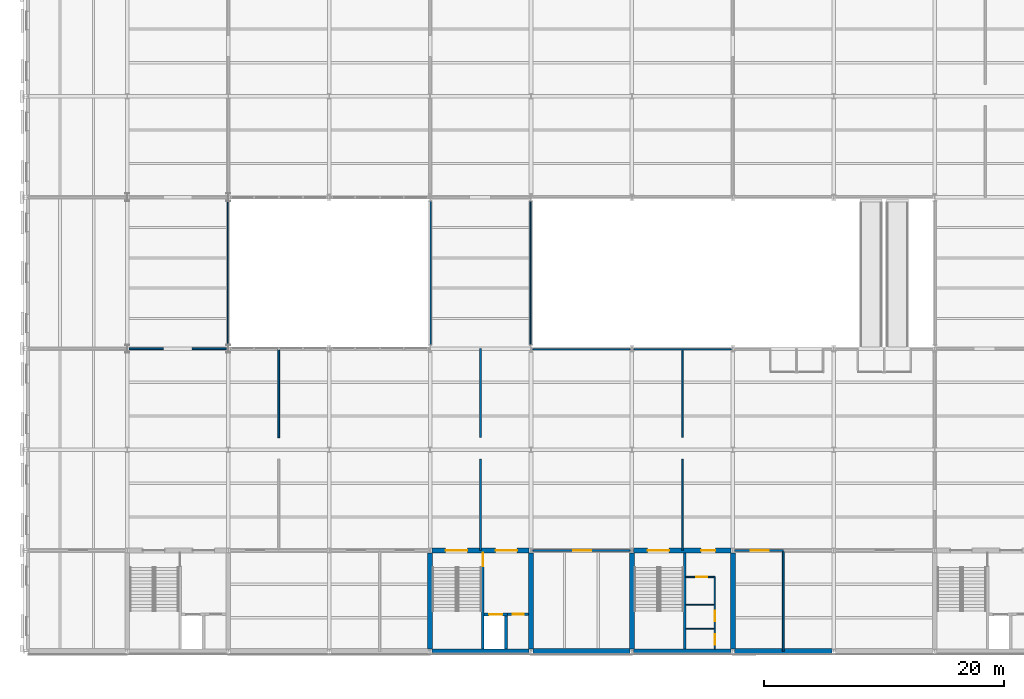
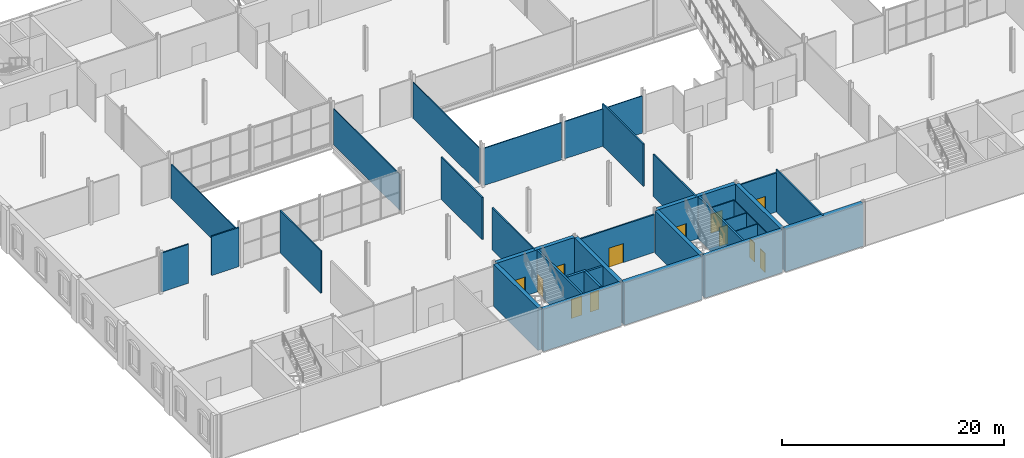
# One storey, part 28 of 57: 36 walls, 12 doors, 12 openings.
"""IFC4 building model written with IfcOpenShell, lengths in metres."""

from ifc_helpers import new_model, si_unit, direction, frame, frame_2d, origin, place, context, subcontext, project, spatial, rectangle, extrude, material, layer, layer_set, type_object, element, fill, save


model = new_model("IFC4")

# Units and contexts
model_context = context("Model", 3, precision=1e-05, world=origin(), true_north=direction((0.0, 1.0)))
body_context = subcontext(model_context, "Body", "Model", "MODEL_VIEW")
ifc_project = project(units=[si_unit("LENGTHUNIT", "METRE"), si_unit("AREAUNIT", "SQUARE_METRE"), si_unit("VOLUMEUNIT", "CUBIC_METRE"), si_unit("PLANEANGLEUNIT", "RADIAN"), si_unit("MASSUNIT", "GRAM", prefix="KILO")], contexts=[model_context])

# Site, building, storey
site_placement = place(None, origin())
site = spatial("IfcSite", under=ifc_project, at=site_placement, CompositionType="ELEMENT")
building_placement = place(site_placement, origin())
building = spatial("IfcBuilding", under=site, at=building_placement, Name="Galleria Vessillo Department Store", CompositionType="ELEMENT")
storey_placement = place(building_placement, frame((0.0, 0.0, 21.0)))
storey = spatial("IfcBuildingStorey", under=building, at=storey_placement, Name="L04", CompositionType="ELEMENT", Elevation=21.0)

# Walls
ifc_material_1 = material(Name="Fire-resisting glass in steel frame S355 J2", Category="steel")
ifc_layer_1 = layer(ifc_material_1, 0.10009765625)
ifc_layer_set_1 = layer_set([ifc_layer_1], Name="Fire-resisting glass in steel frame S355 J2")
wall_type_1 = type_object("IfcWallType", Name="Fire-resisting glazed screen EI 120-Sa 100 mm", PredefinedType="PARTITIONING", material=ifc_layer_set_1)
wall_1_placement = place(storey_placement, frame((42.152587890625, 25.14990234375, 0.0), z_axis=(0.0, 0.0, 1.0), x_axis=(1.0, 0.0, 0.0)))
element("IfcWall", 1, at=wall_1_placement, inside=storey, type_object=wall_type_1, Name="Fire screen, atrium edge L04", PredefinedType="PARTITIONING", context=body_context, shape_type="SweptSolid", body=[
    extrude(rectangle(XDim=8.094482421875, YDim=0.10009765625, at=frame_2d((4.04736328125, 0.0))), origin(), (0.0, 0.0, 1.0), 4.110107421875),
])
wall_2_placement = place(storey_placement, frame((50.552978515625, 25.14990234375, 0.0), z_axis=(0.0, 0.0, 1.0), x_axis=(1.0, 0.0, 0.0)))
element("IfcWall", 2, at=wall_2_placement, inside=storey, type_object=wall_type_1, Name="Fire screen, atrium edge L04", PredefinedType="PARTITIONING", context=body_context, shape_type="SweptSolid", body=[
    extrude(rectangle(XDim=8.093994140625, YDim=0.10009765625, at=frame_2d((4.046875, 0.0))), origin(), (0.0, 0.0, 1.0), 4.110107421875),
])
for number, where, z_axis, x_axis, name in (
    (3, (33.64990234375, 25.510009765625, 0.0), (0.0, 0.0, 1.0), (0.0, 1.0, 0.0), "Fire screen, bridge face L04"),
    (4, (41.949951171875, 25.510009765625, 0.0), (0.0, 0.0, 1.0), (0.0, 1.0, 0.0), "Fire screen, bridge face L04"),
):
    element("IfcWall", number, at=place(storey_placement, frame(where, z_axis=z_axis, x_axis=x_axis)), inside=storey, type_object=wall_type_1, Name=name, PredefinedType="PARTITIONING", context=body_context, shape_type="SweptSolid", body=[
        extrude(rectangle(XDim=11.97998046875, YDim=0.10009765625, at=frame_2d((5.989990234375, 0.0))), origin(), (0.0, 0.0, 1.0), 3.960205078125),
    ])
wall_3_placement = place(storey_placement, frame((16.75, 25.533935546875, 0.0), z_axis=(0.0, 0.0, 1.0), x_axis=(0.0, 1.0, 0.0)))
element("IfcWall", 5, at=wall_3_placement, inside=storey, type_object=wall_type_1, Name="Fire screen, arcade end L04", PredefinedType="PARTITIONING", context=body_context, shape_type="SweptSolid", body=[
    extrude(rectangle(XDim=11.93212890625, YDim=0.10009765625, at=frame_2d((5.966064453125, 0.0))), origin(), (0.0, 0.0, 1.0), 3.760009765625),
])

# Wall, opening, door
ifc_material_2 = material(Name="Solid clay block masonry", Category="masonry")
ifc_layer_2 = layer(ifc_material_2, 0.25)
ifc_layer_set_2 = layer_set([ifc_layer_2], Name="Solid clay block masonry")
wall_type_2 = type_object("IfcWallType", Name="Lift shaft wall 250 mm", PredefinedType="SOLIDWALL", material=ifc_layer_set_2)
wall_4_placement = place(storey_placement, frame((38.10009765625, 3.074951171875, 0.0), z_axis=(0.0, 0.0, 1.0), x_axis=(1.0, 0.0, 0.0)))
wall_4 = element("IfcWall", 6, at=wall_4_placement, inside=storey, type_object=wall_type_2, Name="Lift shaft wall LP3 landing side L04", PredefinedType="SOLIDWALL", context=body_context, shape_type="SweptSolid", body=[
    extrude(rectangle(XDim=1.949951171875, YDim=0.25, at=frame_2d((0.97509765625, 0.0))), origin(), (0.0, 0.0, 1.0), 4.800048828125),
])
opening_1_placement = place(wall_4_placement, frame((0.4248046875, 0.0, 0.0)))
opening_1 = element("IfcOpeningElement", 7, at=opening_1_placement, cuts=wall_4, Name="Opening LD023", PredefinedType="OPENING", context=body_context, shape_type="SweptSolid", body=[
    extrude(rectangle(XDim=1.10009765625, YDim=2.10009765625, at=frame_2d((0.550048828125, 1.050048828125))), frame((0.0, 0.135009765625, 0.0), z_axis=(0.0, -1.0, 0.0), x_axis=(1.0, 0.0, 0.0)), (0.0, 0.0, 1.0), 0.27001953125),
])
ifc_material_3 = material(Name="Stainless steel lift door panel", Category="steel")
door_type_1 = type_object("IfcDoorType", Name="Lift landing door LD110 sliding 1100 x 2100", OperationType="SLIDING_TO_LEFT", PredefinedType="DOOR", material=ifc_material_3)
door_1_placement = place(opening_1_placement, origin())
door_1 = element("IfcDoor", 8, at=door_1_placement, inside=storey, type_object=door_type_1, Name="Lift landing door LP3 L04", OperationType="SLIDING_TO_LEFT", OverallHeight=2.10009765625, OverallWidth=1.10009765625, PredefinedType="DOOR", context=body_context, shape_type="SweptSolid", body=[
    extrude(rectangle(XDim=1.10009765625, YDim=2.10009765625, at=frame_2d((0.550048828125, 1.050048828125))), frame((0.0, 0.02490234375, 0.0), z_axis=(0.0, -1.0, 0.0), x_axis=(1.0, 0.0, 0.0)), (0.0, 0.0, 1.0), 0.050048828125),
])
fill(opening_1, door_1)

# Wall
wall_5_placement = place(storey_placement, frame((39.925048828125, 0.199951171875, 0.0), z_axis=(0.0, 0.0, 1.0), x_axis=(0.0, 1.0, 0.0)))
element("IfcWall", 9, at=wall_5_placement, inside=storey, type_object=wall_type_2, Name="Lift shaft wall LP3 L04", PredefinedType="SOLIDWALL", context=body_context, shape_type="SweptSolid", body=[
    extrude(rectangle(XDim=2.75, YDim=0.25, at=frame_2d((1.375, 0.0))), origin(), (0.0, 0.0, 1.0), 4.800048828125),
])

# Wall, openings, doors
ifc_material_4 = material(Name="Concrete C32/40 reinforced", Category="concrete")
ifc_layer_3 = layer(ifc_material_4, 0.39990234375)
ifc_layer_set_3 = layer_set([ifc_layer_3], Name="Concrete C32/40 reinforced")
wall_type_3 = type_object("IfcWallType", Name="Reinforced concrete core wall 400 mm", PredefinedType="SHEAR", material=ifc_layer_set_3)
wall_6_placement = place(storey_placement, frame((33.75, 8.39990234375, 0.0), z_axis=(0.0, 0.0, 1.0), x_axis=(1.0, 0.0, 0.0)))
wall_6 = element("IfcWall", 10, at=wall_6_placement, inside=storey, type_object=wall_type_3, Name="S-CW-PC-SM-INTERIOR-L04", PredefinedType="SHEAR", context=body_context, shape_type="SweptSolid", body=[
    extrude(rectangle(XDim=8.10009765625, YDim=0.39990234375, at=frame_2d((4.050048828125, 0.0))), origin(), (0.0, 0.0, 1.0), 4.650146484375),
])
opening_2_placement = place(wall_6_placement, frame((1.14990234375, 0.0, 0.0)))
opening_2 = element("IfcOpeningElement", 11, at=opening_2_placement, cuts=wall_6, Name="Opening D5090", PredefinedType="OPENING", context=body_context, shape_type="SweptSolid", body=[
    extrude(rectangle(XDim=1.800048828125, YDim=2.10009765625, at=frame_2d((0.89990234375, 1.050048828125))), frame((0.0, 0.2099609375, 0.0), z_axis=(0.0, -1.0, 0.0), x_axis=(1.0, 0.0, 0.0)), (0.0, 0.0, 1.0), 0.419921875),
])
opening_3_placement = place(wall_6_placement, frame((5.2998046875, 0.0, 0.0)))
opening_3 = element("IfcOpeningElement", 12, at=opening_3_placement, cuts=wall_6, Name="Opening D5091", PredefinedType="OPENING", context=body_context, shape_type="SweptSolid", body=[
    extrude(rectangle(XDim=1.800048828125, YDim=2.10009765625, at=frame_2d((0.89990234375, 1.050048828125))), frame((0.0, 0.2099609375, 0.0), z_axis=(0.0, -1.0, 0.0), x_axis=(1.0, 0.0, 0.0)), (0.0, 0.0, 1.0), 0.419921875),
])
ifc_material_5 = material(Name="Fire-rated steel door leaf", Category="steel")
door_type_2 = type_object("IfcDoorType", Name="Door D180F double leaf 1800 x 2100", OperationType="DOUBLE_DOOR_SINGLE_SWING", PredefinedType="DOOR", material=ifc_material_5)
door_2_placement = place(opening_2_placement, frame((1.800048828125, 0.0, 0.0), z_axis=(0.0, 0.0, 1.0), x_axis=(-1.0, 0.0, 0.0)))
door_2 = element("IfcDoor", 13, at=door_2_placement, inside=storey, type_object=door_type_2, Name="Lobby door PC-SM-ST-FLOOR L04", OperationType="DOUBLE_DOOR_SINGLE_SWING", OverallHeight=2.10009765625, OverallWidth=1.800048828125, PredefinedType="DOOR", context=body_context, shape_type="SweptSolid", body=[
    extrude(rectangle(XDim=1.800048828125, YDim=2.10009765625, at=frame_2d((0.89990234375, 1.050048828125))), frame((0.0, 0.02490234375, 0.0), z_axis=(0.0, -1.0, 0.0), x_axis=(1.0, 0.0, 0.0)), (0.0, 0.0, 1.0), 0.050048828125),
])
fill(opening_2, door_2)
door_3_placement = place(opening_3_placement, frame((1.800048828125, 0.0, 0.0), z_axis=(0.0, 0.0, 1.0), x_axis=(-1.0, 0.0, 0.0)))
door_3 = element("IfcDoor", 14, at=door_3_placement, inside=storey, type_object=door_type_2, Name="Lobby door PC-SM-LOBBY-FLOOR L04", OperationType="DOUBLE_DOOR_SINGLE_SWING", OverallHeight=2.10009765625, OverallWidth=1.800048828125, PredefinedType="DOOR", context=body_context, shape_type="SweptSolid", body=[
    extrude(rectangle(XDim=1.800048828125, YDim=2.10009765625, at=frame_2d((0.89990234375, 1.050048828125))), frame((0.0, 0.02490234375, 0.0), z_axis=(0.0, -1.0, 0.0), x_axis=(1.0, 0.0, 0.0)), (0.0, 0.0, 1.0), 0.050048828125),
])
fill(opening_3, door_3)

# Walls
for number, where, z_axis, x_axis, name in (
    (15, (33.60009765625, 0.199951171875, 0.0), (0.0, 0.0, 1.0), (0.0, 1.0, 0.0), "S-CW-PC-SM-WEST-L04"),
    (16, (42.0, 0.199951171875, 0.0), (0.0, 0.0, 1.0), (0.0, 1.0, 0.0), "S-CW-PC-SM-EAST-L04"),
):
    element("IfcWall", number, at=place(storey_placement, frame(where, z_axis=z_axis, x_axis=x_axis)), inside=storey, type_object=wall_type_3, Name=name, PredefinedType="SHEAR", context=body_context, shape_type="SweptSolid", body=[
        extrude(rectangle(XDim=8.0, YDim=0.39990234375, at=frame_2d((4.0, 0.0))), origin(), (0.0, 0.0, 1.0), 4.650146484375),
    ])

# Wall, openings, doors
wall_7_placement = place(storey_placement, frame((50.5498046875, 8.39990234375, 0.0), z_axis=(0.0, 0.0, 1.0), x_axis=(1.0, 0.0, 0.0)))
wall_7 = element("IfcWall", 17, at=wall_7_placement, inside=storey, type_object=wall_type_3, Name="S-CW-PC-SC-INTERIOR-L04", PredefinedType="SHEAR", context=body_context, shape_type="SweptSolid", body=[
    extrude(rectangle(XDim=8.100341796875, YDim=0.39990234375, at=frame_2d((4.05029296875, 0.0))), origin(), (0.0, 0.0, 1.0), 4.650146484375),
])
opening_4_placement = place(wall_7_placement, frame((1.150146484375, 0.0, 0.0)))
opening_4 = element("IfcOpeningElement", 18, at=opening_4_placement, cuts=wall_7, Name="Opening D5200", PredefinedType="OPENING", context=body_context, shape_type="SweptSolid", body=[
    extrude(rectangle(XDim=1.800048828125, YDim=2.10009765625, at=frame_2d((0.89990234375, 1.050048828125))), frame((0.0, 0.2099609375, 0.0), z_axis=(0.0, -1.0, 0.0), x_axis=(1.0, 0.0, 0.0)), (0.0, 0.0, 1.0), 0.419921875),
])
opening_5_placement = place(wall_7_placement, frame((5.60009765625, 0.0, 0.0)))
opening_5 = element("IfcOpeningElement", 19, at=opening_5_placement, cuts=wall_7, Name="Opening D5201", PredefinedType="OPENING", context=body_context, shape_type="SweptSolid", body=[
    extrude(rectangle(XDim=1.199951171875, YDim=2.10009765625, at=frame_2d((0.60009765625, 1.050048828125))), frame((0.0, 0.2099609375, 0.0), z_axis=(0.0, -1.0, 0.0), x_axis=(1.0, 0.0, 0.0)), (0.0, 0.0, 1.0), 0.419921875),
])
ifc_material_6 = material(Name="Fire-rated steel door leaf", Category="steel")
door_type_3 = type_object("IfcDoorType", Name="Door D120F fire door 1200 x 2100", OperationType="SINGLE_SWING_LEFT", PredefinedType="DOOR", material=ifc_material_6)
door_4_placement = place(opening_5_placement, frame((1.199951171875, 0.0, 0.0), z_axis=(0.0, 0.0, 1.0), x_axis=(-1.0, 0.0, 0.0)))
door_4 = element("IfcDoor", 20, at=door_4_placement, inside=storey, type_object=door_type_3, Name="Lobby door PC-SC-WC-FLOOR L04", OperationType="SINGLE_SWING_LEFT", OverallHeight=2.10009765625, OverallWidth=1.199951171875, PredefinedType="DOOR", context=body_context, shape_type="SweptSolid", body=[
    extrude(rectangle(XDim=1.199951171875, YDim=2.10009765625, at=frame_2d((0.60009765625, 1.050048828125))), frame((0.0, 0.02490234375, 0.0), z_axis=(0.0, -1.0, 0.0), x_axis=(1.0, 0.0, 0.0)), (0.0, 0.0, 1.0), 0.050048828125),
])
fill(opening_5, door_4)
door_5_placement = place(opening_4_placement, frame((1.800048828125, 0.0, 0.0), z_axis=(0.0, 0.0, 1.0), x_axis=(-1.0, 0.0, 0.0)))
door_5 = element("IfcDoor", 21, at=door_5_placement, inside=storey, type_object=door_type_2, Name="Lobby door PC-SC-ST-FLOOR L04", OperationType="DOUBLE_DOOR_SINGLE_SWING", OverallHeight=2.10009765625, OverallWidth=1.800048828125, PredefinedType="DOOR", context=body_context, shape_type="SweptSolid", body=[
    extrude(rectangle(XDim=1.800048828125, YDim=2.10009765625, at=frame_2d((0.89990234375, 1.050048828125))), frame((0.0, 0.02490234375, 0.0), z_axis=(0.0, -1.0, 0.0), x_axis=(1.0, 0.0, 0.0)), (0.0, 0.0, 1.0), 0.050048828125),
])
fill(opening_4, door_5)

# Walls
for number, where, z_axis, x_axis, name in (
    (22, (50.39990234375, 0.199951171875, 0.0), (0.0, 0.0, 1.0), (0.0, 1.0, 0.0), "S-CW-PC-SC-WEST-L04"),
    (23, (58.800048828125, 0.199951171875, 0.0), (0.0, 0.0, 1.0), (0.0, 1.0, 0.0), "S-CW-PC-SC-EAST-L04"),
):
    element("IfcWall", number, at=place(storey_placement, frame(where, z_axis=z_axis, x_axis=x_axis)), inside=storey, type_object=wall_type_3, Name=name, PredefinedType="SHEAR", context=body_context, shape_type="SweptSolid", body=[
        extrude(rectangle(XDim=8.0, YDim=0.39990234375, at=frame_2d((4.0, 0.0))), origin(), (0.0, 0.0, 1.0), 4.650146484375),
    ])
ifc_material_7 = material(Name="Concrete C32/40 reinforced", Category="concrete")
ifc_layer_4 = layer(ifc_material_7, 0.39990234375)
ifc_layer_set_4 = layer_set([ifc_layer_4], Name="Concrete C32/40 reinforced")
wall_type_4 = type_object("IfcWallType", Name="Reinforced concrete core wall 400 mm, external", PredefinedType="SHEAR", material=ifc_layer_set_4)
wall_8_placement = place(storey_placement, frame((33.75, 0.0, 0.0), z_axis=(0.0, 0.0, 1.0), x_axis=(1.0, 0.0, 0.0)))
element("IfcWall", 24, at=wall_8_placement, inside=storey, type_object=wall_type_4, Name="S-CW-PC-SM-PARTY-L04", PredefinedType="SHEAR", context=body_context, shape_type="SweptSolid", body=[
    extrude(rectangle(XDim=8.10009765625, YDim=0.39990234375, at=frame_2d((4.050048828125, 0.0))), origin(), (0.0, 0.0, 1.0), 4.650146484375),
])
wall_9_placement = place(storey_placement, frame((50.5498046875, 0.0, 0.0), z_axis=(0.0, 0.0, 1.0), x_axis=(1.0, 0.0, 0.0)))
element("IfcWall", 25, at=wall_9_placement, inside=storey, type_object=wall_type_4, Name="S-CW-PC-SC-PARTY-L04", PredefinedType="SHEAR", context=body_context, shape_type="SweptSolid", body=[
    extrude(rectangle(XDim=8.100341796875, YDim=0.39990234375, at=frame_2d((4.05029296875, 0.0))), origin(), (0.0, 0.0, 1.0), 4.650146484375),
])
ifc_material_8 = material(Name="Concrete C32/40 reinforced", Category="concrete")
ifc_layer_5 = layer(ifc_material_8, 0.5)
ifc_layer_set_5 = layer_set([ifc_layer_5], Name="Concrete C32/40 reinforced")
wall_type_5 = type_object("IfcWallType", Name="Reinforced concrete party wall 500 mm", PredefinedType="SHEAR", material=ifc_layer_set_5)
for number, where, z_axis, x_axis, name in (
    (26, (42.14990234375, 0.0, 0.0), (0.0, 0.0, 1.0), (1.0, 0.0, 0.0), "S-PS-L04-04"),
    (27, (58.949951171875, 0.0, 0.0), (0.0, 0.0, 1.0), (1.0, 0.0, 0.0), "S-PS-L04-05"),
):
    element("IfcWall", number, at=place(storey_placement, frame(where, z_axis=z_axis, x_axis=x_axis)), inside=storey, type_object=wall_type_5, Name=name, PredefinedType="SHEAR", context=body_context, shape_type="SweptSolid", body=[
        extrude(rectangle(XDim=8.10009765625, YDim=0.5, at=frame_2d((4.050048828125, 0.0))), origin(), (0.0, 0.0, 1.0), 4.650146484375),
    ])

# Wall, opening, door
ifc_material_9 = material(Name="Concrete C32/40 reinforced", Category="concrete")
ifc_layer_6 = layer(ifc_material_9, 0.199951171875)
ifc_layer_set_6 = layer_set([ifc_layer_6], Name="Concrete C32/40 reinforced")
wall_type_6 = type_object("IfcWallType", Name="Reinforced concrete stair enclosure wall 200 mm", PredefinedType="SHEAR", material=ifc_layer_set_6)
wall_10_placement = place(storey_placement, frame((38.0, 0.199951171875, 0.0), z_axis=(0.0, 0.0, 1.0), x_axis=(0.0, 1.0, 0.0)))
wall_10 = element("IfcWall", 28, at=wall_10_placement, inside=storey, type_object=wall_type_6, Name="Stair enclosure wall PC-SM L04", PredefinedType="SHEAR", context=body_context, shape_type="SweptSolid", body=[
    extrude(rectangle(XDim=8.0, YDim=0.199951171875, at=frame_2d((4.0, 0.0))), origin(), (0.0, 0.0, 1.0), 4.64990234375),
])
opening_6_placement = place(wall_10_placement, frame((6.89990234375, 0.0, 0.0)))
opening_6 = element("IfcOpeningElement", 29, at=opening_6_placement, cuts=wall_10, Name="Opening D5088", PredefinedType="OPENING", context=body_context, shape_type="SweptSolid", body=[
    extrude(rectangle(XDim=1.11009765625, YDim=2.10009765625, at=frame_2d((0.554931640625, 1.050048828125))), frame((0.0, 0.10986328125, 0.0), z_axis=(0.0, -1.0, 0.0), x_axis=(1.0, 0.0, 0.0)), (0.0, 0.0, 1.0), 0.219970703125),
])
ifc_material_10 = material(Name="Fire-rated steel door leaf", Category="steel")
door_type_4 = type_object("IfcDoorType", Name="Door D110F stair door 1100 x 2100", OperationType="SINGLE_SWING_LEFT", PredefinedType="DOOR", material=ifc_material_10)
door_6_placement = place(opening_6_placement, origin())
door_6 = element("IfcDoor", 30, at=door_6_placement, inside=storey, type_object=door_type_4, Name="Stair door PC-SM-ST-LOBBY L04", OperationType="SINGLE_SWING_RIGHT", OverallHeight=2.10009765625, OverallWidth=1.10009765625, PredefinedType="DOOR", context=body_context, shape_type="SweptSolid", body=[
    extrude(rectangle(XDim=1.10009765625, YDim=2.10009765625, at=frame_2d((0.550048828125, 1.050048828125))), frame((0.0, 0.02490234375, 0.0), z_axis=(0.0, -1.0, 0.0), x_axis=(1.0, 0.0, 0.0)), (0.0, 0.0, 1.0), 0.050048828125),
])
fill(opening_6, door_6)

# Wall
wall_11_placement = place(storey_placement, frame((54.7998046875, 0.199951171875, 0.0), z_axis=(0.0, 0.0, 1.0), x_axis=(0.0, 1.0, 0.0)))
element("IfcWall", 31, at=wall_11_placement, inside=storey, type_object=wall_type_6, Name="Stair enclosure wall PC-SC L04", PredefinedType="SHEAR", context=body_context, shape_type="SweptSolid", body=[
    extrude(rectangle(XDim=8.0, YDim=0.199951171875, at=frame_2d((4.0, 0.0))), origin(), (0.0, 0.0, 1.0), 4.64990234375),
])

# Wall, opening, door
ifc_material_11 = material(Name="Hollow clay block masonry", Category="masonry")
ifc_layer_7 = layer(ifc_material_11, 0.199951171875)
ifc_layer_set_7 = layer_set([ifc_layer_7], Name="Hollow clay block masonry")
wall_type_7 = type_object("IfcWallType", Name="Riser and service room wall 200 mm", PredefinedType="PARTITIONING", material=ifc_layer_set_7)
wall_12_placement = place(storey_placement, frame((40.050048828125, 3.099853515625, 0.0), z_axis=(0.0, 0.0, 1.0), x_axis=(1.0, 0.0, 0.0)))
wall_12 = element("IfcWall", 32, at=wall_12_placement, inside=storey, type_object=wall_type_7, Name="Riser wall PC-SM-RISER L04", PredefinedType="PARTITIONING", context=body_context, shape_type="SweptSolid", body=[
    extrude(rectangle(XDim=1.75, YDim=0.199951171875, at=frame_2d((0.875, 0.0))), origin(), (0.0, 0.0, 1.0), 4.64990234375),
])
opening_7_placement = place(wall_12_placement, frame((0.449951171875, 0.0, 0.0)))
opening_7 = element("IfcOpeningElement", 33, at=opening_7_placement, cuts=wall_12, Name="Opening D5089", PredefinedType="OPENING", context=body_context, shape_type="SweptSolid", body=[
    extrude(rectangle(XDim=0.89990234375, YDim=2.10009765625, at=frame_2d((0.449951171875, 1.050048828125))), frame((0.0, 0.10986328125, 0.0), z_axis=(0.0, -1.0, 0.0), x_axis=(1.0, 0.0, 0.0)), (0.0, 0.0, 1.0), 0.219970703125),
])
ifc_material_12 = material(Name="Fire-rated steel door leaf", Category="steel")
door_type_5 = type_object("IfcDoorType", Name="Door DR90 riser access 900 x 2100", OperationType="SINGLE_SWING_LEFT", PredefinedType="DOOR", material=ifc_material_12)
door_7_placement = place(opening_7_placement, frame((0.89990234375, 0.0, 0.0), z_axis=(0.0, 0.0, 1.0), x_axis=(-1.0, 0.0, 0.0)))
door_7 = element("IfcDoor", 34, at=door_7_placement, inside=storey, type_object=door_type_5, Name="Riser door PC-SM-RISER-D L04", OperationType="SINGLE_SWING_LEFT", OverallHeight=2.10009765625, OverallWidth=0.89990234375, PredefinedType="DOOR", context=body_context, shape_type="SweptSolid", body=[
    extrude(rectangle(XDim=0.89990234375, YDim=2.10009765625, at=frame_2d((0.449951171875, 1.050048828125))), frame((0.0, 0.02490234375, 0.0), z_axis=(0.0, -1.0, 0.0), x_axis=(1.0, 0.0, 0.0)), (0.0, 0.0, 1.0), 0.050048828125),
])
fill(opening_7, door_7)

# Walls
ifc_material_13 = material(Name="Gypsum board partition")
ifc_layer_8 = layer(ifc_material_13, 0.139892578125)
ifc_layer_set_8 = layer_set([ifc_layer_8], Name="Gypsum board partition")
wall_type_8 = type_object("IfcWallType", Name="Sales dividing wall 140 mm", PredefinedType="PARTITIONING", material=ifc_layer_set_8)
wall_13_placement = place(storey_placement, frame((21.0, 17.800048828125, 0.0), z_axis=(0.0, 0.0, 1.0), x_axis=(0.0, 1.0, 0.0)))
element("IfcWall", 35, at=wall_13_placement, inside=storey, type_object=wall_type_8, Name="Partition wall PT3 on L04 no. 038", PredefinedType="PARTITIONING", context=body_context, shape_type="SweptSolid", body=[
    extrude(rectangle(XDim=7.39990234375, YDim=0.139892578125, at=frame_2d((3.699951171875, 0.0))), origin(), (0.0, 0.0, 1.0), 4.650146484375),
])
wall_14_placement = place(storey_placement, frame((8.552490234375, 25.199951171875, 0.0), z_axis=(0.0, 0.0, 1.0), x_axis=(1.0, 0.0, 0.0)))
element("IfcWall", 36, at=wall_14_placement, inside=storey, type_object=wall_type_8, Name="Partition wall PT3 on L04 no. 040", PredefinedType="PARTITIONING", context=body_context, shape_type="SweptSolid", body=[
    extrude(rectangle(XDim=2.849853515625, YDim=0.139892578125, at=frame_2d((1.4248046875, 0.0))), origin(), (0.0, 0.0, 1.0), 4.300048828125),
])
wall_15_placement = place(storey_placement, frame((13.802490234375, 25.199951171875, 0.0), z_axis=(0.0, 0.0, 1.0), x_axis=(1.0, 0.0, 0.0)))
element("IfcWall", 37, at=wall_15_placement, inside=storey, type_object=wall_type_8, Name="Partition wall PT3 on L04 no. 041", PredefinedType="PARTITIONING", context=body_context, shape_type="SweptSolid", body=[
    extrude(rectangle(XDim=2.844970703125, YDim=0.139892578125, at=frame_2d((1.42236328125, 0.0))), origin(), (0.0, 0.0, 1.0), 4.300048828125),
])
wall_16_placement = place(storey_placement, frame((37.800048828125, 8.409912109375, 0.0), z_axis=(0.0, 0.0, 1.0), x_axis=(0.0, 1.0, 0.0)))
element("IfcWall", 38, at=wall_16_placement, inside=storey, type_object=wall_type_8, Name="Partition wall PT3 on L04 no. 042", PredefinedType="PARTITIONING", context=body_context, shape_type="SweptSolid", body=[
    extrude(rectangle(XDim=7.60009765625, YDim=0.139892578125, at=frame_2d((3.800048828125, 0.0))), origin(), (0.0, 0.0, 1.0), 4.650146484375),
])
wall_17_placement = place(storey_placement, frame((37.800048828125, 17.809814453125, 0.0), z_axis=(0.0, 0.0, 1.0), x_axis=(0.0, 1.0, 0.0)))
element("IfcWall", 39, at=wall_17_placement, inside=storey, type_object=wall_type_8, Name="Partition wall PT3 on L04 no. 043", PredefinedType="PARTITIONING", context=body_context, shape_type="SweptSolid", body=[
    extrude(rectangle(XDim=7.39013671875, YDim=0.139892578125, at=frame_2d((3.695068359375, 0.0))), origin(), (0.0, 0.0, 1.0), 4.650146484375),
])
wall_18_placement = place(storey_placement, frame((54.60009765625, 8.409912109375, 0.0), z_axis=(0.0, 0.0, 1.0), x_axis=(0.0, 1.0, 0.0)))
element("IfcWall", 40, at=wall_18_placement, inside=storey, type_object=wall_type_8, Name="Partition wall PT3 on L04 no. 044", PredefinedType="PARTITIONING", context=body_context, shape_type="SweptSolid", body=[
    extrude(rectangle(XDim=7.60009765625, YDim=0.139892578125, at=frame_2d((3.800048828125, 0.0))), origin(), (0.0, 0.0, 1.0), 4.650146484375),
])
wall_19_placement = place(storey_placement, frame((54.60009765625, 17.809814453125, 0.0), z_axis=(0.0, 0.0, 1.0), x_axis=(0.0, 1.0, 0.0)))
element("IfcWall", 41, at=wall_19_placement, inside=storey, type_object=wall_type_8, Name="Partition wall PT3 on L04 no. 045", PredefinedType="PARTITIONING", context=body_context, shape_type="SweptSolid", body=[
    extrude(rectangle(XDim=7.39013671875, YDim=0.139892578125, at=frame_2d((3.695068359375, 0.0))), origin(), (0.0, 0.0, 1.0), 4.650146484375),
])

# Wall, opening, door
ifc_material_14 = material(Name="Concrete blockwork", Category="masonry")
ifc_layer_9 = layer(ifc_material_14, 0.14990234375)
ifc_layer_set_9 = layer_set([ifc_layer_9], Name="Concrete blockwork")
wall_type_9 = type_object("IfcWallType", Name="Stockroom blockwork wall 150 mm", PredefinedType="SOLIDWALL", material=ifc_layer_set_9)
wall_20_placement = place(storey_placement, frame((42.14990234375, 8.39990234375, 0.0), z_axis=(0.0, 0.0, 1.0), x_axis=(1.0, 0.0, 0.0)))
wall_20 = element("IfcWall", 42, at=wall_20_placement, inside=storey, type_object=wall_type_9, Name="Partition wall PT4 on L04 no. 018", PredefinedType="SOLIDWALL", context=body_context, shape_type="SweptSolid", body=[
    extrude(rectangle(XDim=8.10009765625, YDim=0.14990234375, at=frame_2d((4.050048828125, 0.0))), origin(), (0.0, 0.0, 1.0), 4.159912109375),
])
opening_8_placement = place(wall_20_placement, frame((3.35009765625, 0.0, 0.0)))
opening_8 = element("IfcOpeningElement", 43, at=opening_8_placement, cuts=wall_20, Name="Opening D2610", PredefinedType="OPENING", context=body_context, shape_type="SweptSolid", body=[
    extrude(rectangle(XDim=1.5, YDim=2.10009765625, at=frame_2d((0.75, 1.050048828125))), frame((0.0, 0.0849609375, 0.0), z_axis=(0.0, -1.0, 0.0), x_axis=(1.0, 0.0, 0.0)), (0.0, 0.0, 1.0), 0.169921875),
])
ifc_material_15 = material(Name="Steel fire door leaf", Category="steel")
door_type_6 = type_object("IfcDoorType", Name="Stockroom fire door 1500 double leaf", OperationType="DOUBLE_DOOR_SINGLE_SWING", PredefinedType="DOOR", material=ifc_material_15)
door_8_placement = place(opening_8_placement, frame((1.5, 0.0, 0.0), z_axis=(0.0, 0.0, 1.0), x_axis=(-1.0, 0.0, 0.0)))
door_8 = element("IfcDoor", 44, at=door_8_placement, inside=storey, type_object=door_type_6, Name="Door D2610", OperationType="DOUBLE_DOOR_SINGLE_SWING", OverallHeight=2.10009765625, OverallWidth=1.5, PredefinedType="DOOR", context=body_context, shape_type="SweptSolid", body=[
    extrude(rectangle(XDim=1.5, YDim=2.10009765625, at=frame_2d((0.75, 1.050048828125))), frame((0.0, 0.02490234375, 0.0), z_axis=(0.0, -1.0, 0.0), x_axis=(1.0, 0.0, 0.0)), (0.0, 0.0, 1.0), 0.050048828125),
])
fill(opening_8, door_8)

# Wall
wall_21_placement = place(storey_placement, frame((63.0, 0.0, 0.0), z_axis=(0.0, 0.0, 1.0), x_axis=(0.0, 1.0, 0.0)))
element("IfcWall", 45, at=wall_21_placement, inside=storey, type_object=wall_type_9, Name="Partition wall PT4 on L04 no. 019", PredefinedType="SOLIDWALL", context=body_context, shape_type="SweptSolid", body=[
    extrude(rectangle(XDim=8.39990234375, YDim=0.14990234375, at=frame_2d((4.199951171875, 0.0))), origin(), (0.0, 0.0, 1.0), 4.650146484375),
])

# Wall, opening, door
wall_22_placement = place(storey_placement, frame((58.949951171875, 8.39990234375, 0.0), z_axis=(0.0, 0.0, 1.0), x_axis=(1.0, 0.0, 0.0)))
wall_22 = element("IfcWall", 46, at=wall_22_placement, inside=storey, type_object=wall_type_9, Name="Partition wall PT4 on L04 no. 020", PredefinedType="SOLIDWALL", context=body_context, shape_type="SweptSolid", body=[
    extrude(rectangle(XDim=4.050048828125, YDim=0.14990234375, at=frame_2d((2.02490234375, 0.0))), origin(), (0.0, 0.0, 1.0), 4.300048828125),
])
opening_9_placement = place(wall_22_placement, frame((1.35009765625, 0.0, 0.0)))
opening_9 = element("IfcOpeningElement", 47, at=opening_9_placement, cuts=wall_22, Name="Opening D2611", PredefinedType="OPENING", context=body_context, shape_type="SweptSolid", body=[
    extrude(rectangle(XDim=1.5, YDim=2.10009765625, at=frame_2d((0.75, 1.050048828125))), frame((0.0, 0.0849609375, 0.0), z_axis=(0.0, -1.0, 0.0), x_axis=(1.0, 0.0, 0.0)), (0.0, 0.0, 1.0), 0.169921875),
])
door_9_placement = place(opening_9_placement, frame((1.5, 0.0, 0.0), z_axis=(0.0, 0.0, 1.0), x_axis=(-1.0, 0.0, 0.0)))
door_9 = element("IfcDoor", 48, at=door_9_placement, inside=storey, type_object=door_type_6, Name="Door D2611", OperationType="DOUBLE_DOOR_SINGLE_SWING", OverallHeight=2.10009765625, OverallWidth=1.5, PredefinedType="DOOR", context=body_context, shape_type="SweptSolid", body=[
    extrude(rectangle(XDim=1.5, YDim=2.10009765625, at=frame_2d((0.75, 1.050048828125))), frame((0.0, 0.02490234375, 0.0), z_axis=(0.0, -1.0, 0.0), x_axis=(1.0, 0.0, 0.0)), (0.0, 0.0, 1.0), 0.050048828125),
])
fill(opening_9, door_9)

ifc_material_16 = material(Name="Moisture-resistant board partition")
ifc_layer_10 = layer(ifc_material_16, 0.10009765625)
ifc_layer_set_10 = layer_set([ifc_layer_10], Name="Moisture-resistant board partition")
wall_type_10 = type_object("IfcWallType", Name="WC and cubicle partition 100 mm", PredefinedType="PARTITIONING", material=ifc_layer_set_10)
wall_23_placement = place(storey_placement, frame((54.89990234375, 6.199951171875, 0.0), z_axis=(0.0, 0.0, 1.0), x_axis=(1.0, 0.0, 0.0)))
wall_23 = element("IfcWall", 49, at=wall_23_placement, inside=storey, type_object=wall_type_10, Name="Partition wall PT1 on L04 no. 001", PredefinedType="PARTITIONING", context=body_context, shape_type="SweptSolid", body=[
    extrude(rectangle(XDim=2.39990234375, YDim=0.10009765625, at=frame_2d((1.199951171875, 0.0))), origin(), (0.0, 0.0, 1.0), 4.580078125),
])
opening_10_placement = place(wall_23_placement, frame((0.85009765625, 0.0, 0.0)))
opening_10 = element("IfcOpeningElement", 50, at=opening_10_placement, cuts=wall_23, Name="Opening D2601", PredefinedType="OPENING", context=body_context, shape_type="SweptSolid", body=[
    extrude(rectangle(XDim=0.89990234375, YDim=2.10009765625, at=frame_2d((0.449951171875, 1.050048828125))), frame((0.0, 0.06005859375, 0.0), z_axis=(0.0, -1.0, 0.0), x_axis=(1.0, 0.0, 0.0)), (0.0, 0.0, 1.0), 0.1201171875),
])
ifc_material_17 = material(Name="Timber and glass door leaf", Category="wood")
door_type_7 = type_object("IfcDoorType", Name="Floor door 900 single leaf", OperationType="SINGLE_SWING_LEFT", PredefinedType="DOOR", material=ifc_material_17)
door_10_placement = place(opening_10_placement, origin())
door_10 = element("IfcDoor", 51, at=door_10_placement, inside=storey, type_object=door_type_7, Name="Door D2601", OperationType="SINGLE_SWING_LEFT", OverallHeight=2.10009765625, OverallWidth=0.89990234375, PredefinedType="DOOR", context=body_context, shape_type="SweptSolid", body=[
    extrude(rectangle(XDim=0.89990234375, YDim=2.10009765625, at=frame_2d((0.449951171875, 1.050048828125))), frame((0.0, 0.02490234375, 0.0), z_axis=(0.0, -1.0, 0.0), x_axis=(1.0, 0.0, 0.0)), (0.0, 0.0, 1.0), 0.050048828125),
])
fill(opening_10, door_10)

# Wall
wall_24_placement = place(storey_placement, frame((57.2998046875, 3.89990234375, 0.0), z_axis=(0.0, 0.0, 1.0), x_axis=(0.0, 1.0, 0.0)))
element("IfcWall", 52, at=wall_24_placement, inside=storey, type_object=wall_type_10, Name="Partition wall PT1 on L04 no. 002", PredefinedType="PARTITIONING", context=body_context, shape_type="SweptSolid", body=[
    extrude(rectangle(XDim=2.300048828125, YDim=0.10009765625, at=frame_2d((1.14990234375, 0.0))), origin(), (0.0, 0.0, 1.0), 4.580078125),
])

# Wall, opening, door
wall_25_placement = place(storey_placement, frame((57.2998046875, 1.89990234375, 0.0), z_axis=(0.0, 0.0, 1.0), x_axis=(0.0, 1.0, 0.0)))
wall_25 = element("IfcWall", 53, at=wall_25_placement, inside=storey, type_object=wall_type_10, Name="Partition wall PT1 on L04 no. 003", PredefinedType="PARTITIONING", context=body_context, shape_type="SweptSolid", body=[
    extrude(rectangle(XDim=2.0, YDim=0.10009765625, at=frame_2d((1.0, 0.0))), origin(), (0.0, 0.0, 1.0), 4.580078125),
])
opening_11_placement = place(wall_25_placement, frame((0.60009765625, 0.0, 0.0)))
opening_11 = element("IfcOpeningElement", 54, at=opening_11_placement, cuts=wall_25, Name="Opening D2602", PredefinedType="OPENING", context=body_context, shape_type="SweptSolid", body=[
    extrude(rectangle(XDim=0.89990234375, YDim=2.10009765625, at=frame_2d((0.449951171875, 1.050048828125))), frame((0.0, 0.06005859375, 0.0), z_axis=(0.0, -1.0, 0.0), x_axis=(1.0, 0.0, 0.0)), (0.0, 0.0, 1.0), 0.1201171875),
])
door_11_placement = place(opening_11_placement, frame((0.89990234375, 0.0, 0.0), z_axis=(0.0, 0.0, 1.0), x_axis=(-1.0, 0.0, 0.0)))
door_11 = element("IfcDoor", 55, at=door_11_placement, inside=storey, type_object=door_type_7, Name="Door D2602", OperationType="SINGLE_SWING_RIGHT", OverallHeight=2.10009765625, OverallWidth=0.89990234375, PredefinedType="DOOR", context=body_context, shape_type="SweptSolid", body=[
    extrude(rectangle(XDim=0.89990234375, YDim=2.10009765625, at=frame_2d((0.449951171875, 1.050048828125))), frame((0.0, 0.02490234375, 0.0), z_axis=(0.0, -1.0, 0.0), x_axis=(1.0, 0.0, 0.0)), (0.0, 0.0, 1.0), 0.050048828125),
])
fill(opening_11, door_11)

wall_26_placement = place(storey_placement, frame((57.2998046875, 0.199951171875, 0.0), z_axis=(0.0, 0.0, 1.0), x_axis=(0.0, 1.0, 0.0)))
wall_26 = element("IfcWall", 56, at=wall_26_placement, inside=storey, type_object=wall_type_10, Name="Partition wall PT1 on L04 no. 004", PredefinedType="PARTITIONING", context=body_context, shape_type="SweptSolid", body=[
    extrude(rectangle(XDim=1.699951171875, YDim=0.10009765625, at=frame_2d((0.85009765625, 0.0))), origin(), (0.0, 0.0, 1.0), 4.580078125),
])
opening_12_placement = place(wall_26_placement, frame((0.35009765625, 0.0, 0.0)))
opening_12 = element("IfcOpeningElement", 57, at=opening_12_placement, cuts=wall_26, Name="Opening D2603", PredefinedType="OPENING", context=body_context, shape_type="SweptSolid", body=[
    extrude(rectangle(XDim=0.89990234375, YDim=2.10009765625, at=frame_2d((0.449951171875, 1.050048828125))), frame((0.0, 0.06005859375, 0.0), z_axis=(0.0, -1.0, 0.0), x_axis=(1.0, 0.0, 0.0)), (0.0, 0.0, 1.0), 0.1201171875),
])
ifc_material_18 = material(Name="Timber and glass door leaf", Category="wood")
door_type_8 = type_object("IfcDoorType", Name="Accessible WC door 900 sliding", OperationType="SLIDING_TO_LEFT", PredefinedType="DOOR", material=ifc_material_18)
door_12_placement = place(opening_12_placement, origin())
door_12 = element("IfcDoor", 58, at=door_12_placement, inside=storey, type_object=door_type_8, Name="Door D2603", OperationType="SLIDING_TO_RIGHT", OverallHeight=2.10009765625, OverallWidth=0.89990234375, PredefinedType="DOOR", context=body_context, shape_type="SweptSolid", body=[
    extrude(rectangle(XDim=0.89990234375, YDim=2.10009765625, at=frame_2d((0.449951171875, 1.050048828125))), frame((0.0, 0.02490234375, 0.0), z_axis=(0.0, -1.0, 0.0), x_axis=(1.0, 0.0, 0.0)), (0.0, 0.0, 1.0), 0.050048828125),
])
fill(opening_12, door_12)

# Walls
for number, where, z_axis, x_axis, name in (
    (59, (54.89990234375, 3.89990234375, 0.0), (0.0, 0.0, 1.0), (1.0, 0.0, 0.0), "Partition wall PT1 on L04 no. 005"),
    (60, (54.89990234375, 1.89990234375, 0.0), (0.0, 0.0, 1.0), (1.0, 0.0, 0.0), "Partition wall PT1 on L04 no. 006"),
):
    element("IfcWall", number, at=place(storey_placement, frame(where, z_axis=z_axis, x_axis=x_axis)), inside=storey, type_object=wall_type_10, Name=name, PredefinedType="PARTITIONING", context=body_context, shape_type="SweptSolid", body=[
        extrude(rectangle(XDim=2.39990234375, YDim=0.10009765625, at=frame_2d((1.199951171875, 0.0))), origin(), (0.0, 0.0, 1.0), 4.580078125),
    ])

save(model, "model.ifc")
